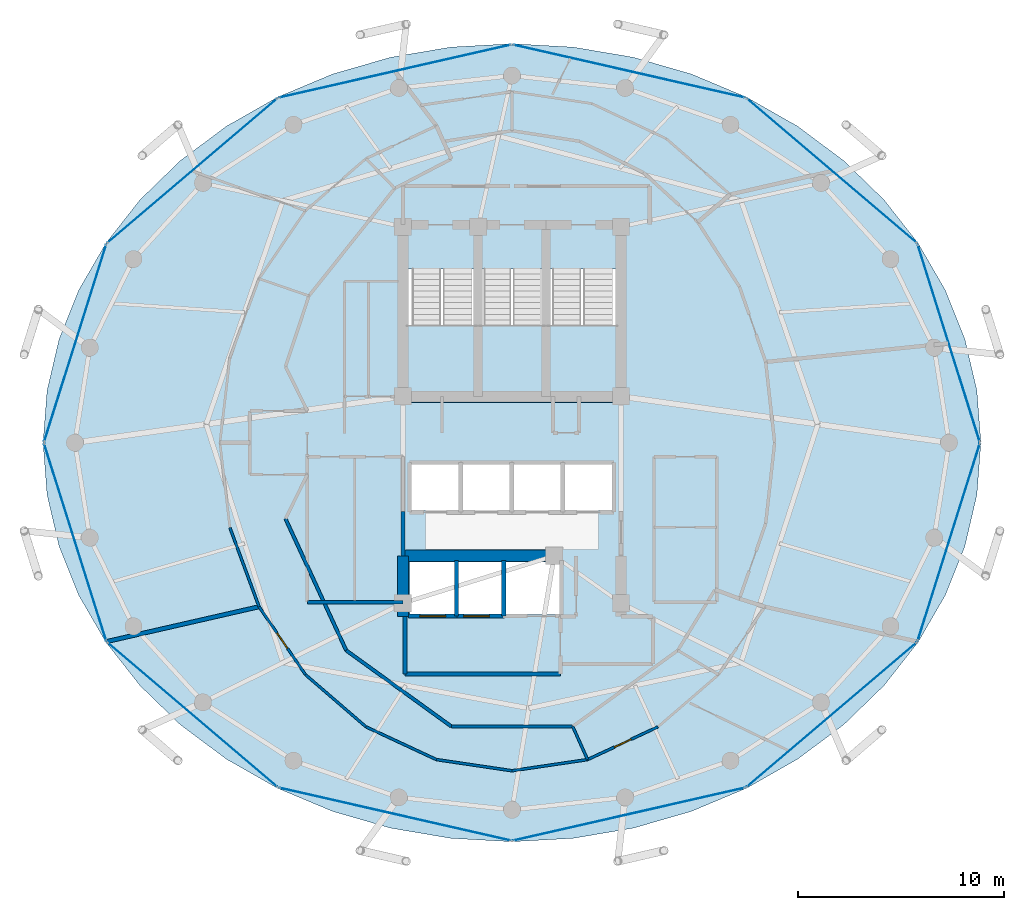
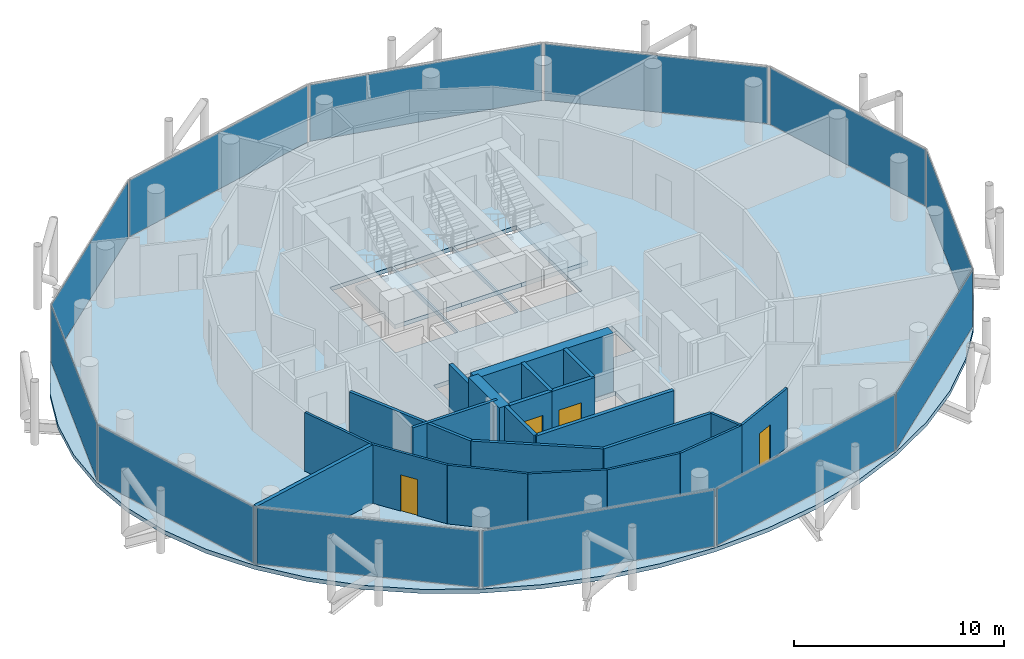
# One storey, part 22 of 27: 22 walls, 12 plates, 4 doors, 4 slabs, 4 openings, 15 elements without a shape of their own.
"""IFC4 building model written with IfcOpenShell, lengths in metres."""

from ifc_helpers import new_model, si_unit, direction, frame, frame_2d, origin, origin_2d, place, context, subcontext, project, spatial, polyline, rectangle, outline, extrude, material, layer, layer_set, type_object, element, fill, aggregate, save


model = new_model("IFC4")

# Units and contexts
model_context = context("Model", 3, precision=1e-05, world=origin(), true_north=direction((0.0, 1.0)))
body_context = subcontext(model_context, "Body", "Model", "MODEL_VIEW")
ifc_project = project(units=[si_unit("LENGTHUNIT", "METRE"), si_unit("AREAUNIT", "SQUARE_METRE"), si_unit("VOLUMEUNIT", "CUBIC_METRE"), si_unit("PLANEANGLEUNIT", "RADIAN"), si_unit("MASSUNIT", "GRAM", prefix="KILO")], contexts=[model_context])

# Site, building, storey
site_placement = place(None, origin())
site = spatial("IfcSite", under=ifc_project, at=site_placement, CompositionType="ELEMENT")
building_placement = place(site_placement, origin())
building = spatial("IfcBuilding", under=site, at=building_placement, Name="Nuhasar Tower", CompositionType="ELEMENT")
storey_placement = place(building_placement, frame((0.0, 0.0, 215.449951171875)))
storey = spatial("IfcBuildingStorey", under=building, at=storey_placement, Name="L52", CompositionType="ELEMENT", Elevation=215.449951171875)

# Curtain wall, plate
ifc_material_1 = material(Name="Aluminium 6063-T6", Category="aluminium")
ifc_layer_1 = layer(ifc_material_1, 0.18994140625)
ifc_layer_set_1 = layer_set([ifc_layer_1], Name="Aluminium 6063-T6")
curtain_wall_type = type_object("IfcCurtainWallType", Name="CW-Z3-RES", PredefinedType="NOTDEFINED", material=ifc_layer_set_1)
curtain_wall_1_placement = place(storey_placement, origin())
curtain_wall_1 = element("IfcCurtainWall", 1, at=curtain_wall_1_placement, inside=storey, type_object=curtain_wall_type, Name="L52 Unitised Curtain Wall 01", PredefinedType="NOTDEFINED")
ifc_material_2 = material(Name="Glass Double Low-E", Category="glass")
ifc_layer_2 = layer(ifc_material_2, 0.028076171875)
ifc_layer_set_2 = layer_set([ifc_layer_2], Name="Glass Double Low-E")
plate_type = type_object("IfcPlateType", Name="CW-PANEL-GLZ", PredefinedType="CURTAIN_PANEL", material=ifc_layer_set_2)
plate_1_placement = place(storey_placement, frame((60.235595703125, 31.639892578125, 0.06494140625), z_axis=(0.0, 0.0, 1.0), x_axis=(-0.30042864553, 0.95380429279, 0.0)))
plate_1 = element("IfcPlate", 2, at=plate_1_placement, type_object=plate_type, Name="CW-Z3 panel 1.1", PredefinedType="CURTAIN_PANEL", context=body_context, shape_type="SweptSolid", body=[
    extrude(rectangle(XDim=10.018798828125, YDim=0.028076171875, at=origin_2d()), origin(), (0.0, 0.0, 1.0), 3.280029296875),
])
aggregate(curtain_wall_1, [plate_1])

curtain_wall_2_placement = place(storey_placement, origin())
curtain_wall_2 = element("IfcCurtainWall", 3, at=curtain_wall_2_placement, inside=storey, type_object=curtain_wall_type, Name="L52 Unitised Curtain Wall 02", PredefinedType="NOTDEFINED")
plate_2_placement = place(storey_placement, frame((54.54541015625, 40.02294921875, 0.06494140625), z_axis=(0.0, 0.0, 1.0), x_axis=(-0.761729472562, 0.64789521578, 0.0)))
plate_2 = element("IfcPlate", 4, at=plate_2_placement, type_object=plate_type, Name="CW-Z3 panel 1.1", PredefinedType="CURTAIN_PANEL", context=body_context, shape_type="SweptSolid", body=[
    extrude(rectangle(XDim=10.806884765625, YDim=0.028076171875, at=origin_2d()), origin(), (0.0, 0.0, 1.0), 3.280029296875),
])
aggregate(curtain_wall_2, [plate_2])

curtain_wall_3_placement = place(storey_placement, origin())
curtain_wall_3 = element("IfcCurtainWall", 5, at=curtain_wall_3_placement, inside=storey, type_object=curtain_wall_type, Name="L52 Unitised Curtain Wall 03", PredefinedType="NOTDEFINED")
plate_3_placement = place(storey_placement, frame((44.68994140625, 44.863037109375, 0.06494140625), z_axis=(0.0, 0.0, 1.0), x_axis=(-0.974991266926, 0.222243176313, 0.0)))
plate_3 = element("IfcPlate", 6, at=plate_3_placement, type_object=plate_type, Name="CW-Z3 panel 1.1", PredefinedType="CURTAIN_PANEL", context=body_context, shape_type="SweptSolid", body=[
    extrude(rectangle(XDim=11.5419921875, YDim=0.028076171875, at=origin_2d()), origin(), (0.0, 0.0, 1.0), 3.280029296875),
])
aggregate(curtain_wall_3, [plate_3])

curtain_wall_4_placement = place(storey_placement, origin())
curtain_wall_4 = element("IfcCurtainWall", 7, at=curtain_wall_4_placement, inside=storey, type_object=curtain_wall_type, Name="L52 Unitised Curtain Wall 04", PredefinedType="NOTDEFINED")
plate_4_placement = place(storey_placement, frame((33.31005859375, 44.863037109375, 0.06494140625), z_axis=(0.0, 0.0, 1.0), x_axis=(-0.974991266926, -0.222243176313, 0.0)))
plate_4 = element("IfcPlate", 8, at=plate_4_placement, type_object=plate_type, Name="CW-Z3 panel 1.1", PredefinedType="CURTAIN_PANEL", context=body_context, shape_type="SweptSolid", body=[
    extrude(rectangle(XDim=11.5419921875, YDim=0.028076171875, at=origin_2d()), origin(), (0.0, 0.0, 1.0), 3.280029296875),
])
aggregate(curtain_wall_4, [plate_4])

curtain_wall_5_placement = place(storey_placement, origin())
curtain_wall_5 = element("IfcCurtainWall", 9, at=curtain_wall_5_placement, inside=storey, type_object=curtain_wall_type, Name="L52 Unitised Curtain Wall 05", PredefinedType="NOTDEFINED")
plate_5_placement = place(storey_placement, frame((23.45458984375, 40.02294921875, 0.06494140625), z_axis=(0.0, 0.0, 1.0), x_axis=(-0.761729472562, -0.64789521578, 0.0)))
plate_5 = element("IfcPlate", 10, at=plate_5_placement, type_object=plate_type, Name="CW-Z3 panel 1.1", PredefinedType="CURTAIN_PANEL", context=body_context, shape_type="SweptSolid", body=[
    extrude(rectangle(XDim=10.806884765625, YDim=0.028076171875, at=origin_2d()), origin(), (0.0, 0.0, 1.0), 3.280029296875),
])
aggregate(curtain_wall_5, [plate_5])

curtain_wall_6_placement = place(storey_placement, origin())
curtain_wall_6 = element("IfcCurtainWall", 11, at=curtain_wall_6_placement, inside=storey, type_object=curtain_wall_type, Name="L52 Unitised Curtain Wall 06", PredefinedType="NOTDEFINED")
plate_6_placement = place(storey_placement, frame((17.764404296875, 31.639892578125, 0.06494140625), z_axis=(0.0, 0.0, 1.0), x_axis=(-0.30042864553, -0.95380429279, 0.0)))
plate_6 = element("IfcPlate", 12, at=plate_6_placement, type_object=plate_type, Name="CW-Z3 panel 1.1", PredefinedType="CURTAIN_PANEL", context=body_context, shape_type="SweptSolid", body=[
    extrude(rectangle(XDim=10.018798828125, YDim=0.028076171875, at=origin_2d()), origin(), (0.0, 0.0, 1.0), 3.280029296875),
])
aggregate(curtain_wall_6, [plate_6])

curtain_wall_7_placement = place(storey_placement, origin())
curtain_wall_7 = element("IfcCurtainWall", 13, at=curtain_wall_7_placement, inside=storey, type_object=curtain_wall_type, Name="L52 Unitised Curtain Wall 07", PredefinedType="NOTDEFINED")
plate_7_placement = place(storey_placement, frame((17.764404296875, 21.9599609375, 0.06494140625), z_axis=(0.0, 0.0, 1.0), x_axis=(0.30042864553, -0.95380429279, 0.0)))
plate_7 = element("IfcPlate", 14, at=plate_7_placement, type_object=plate_type, Name="CW-Z3 panel 1.1", PredefinedType="CURTAIN_PANEL", context=body_context, shape_type="SweptSolid", body=[
    extrude(rectangle(XDim=10.018798828125, YDim=0.028076171875, at=origin_2d()), origin(), (0.0, 0.0, 1.0), 3.280029296875),
])
aggregate(curtain_wall_7, [plate_7])

curtain_wall_8_placement = place(storey_placement, origin())
curtain_wall_8 = element("IfcCurtainWall", 15, at=curtain_wall_8_placement, inside=storey, type_object=curtain_wall_type, Name="L52 Unitised Curtain Wall 08", PredefinedType="NOTDEFINED")
plate_8_placement = place(storey_placement, frame((23.45458984375, 13.576904296875, 0.06494140625), z_axis=(0.0, 0.0, 1.0), x_axis=(0.761729472562, -0.64789521578, 0.0)))
plate_8 = element("IfcPlate", 16, at=plate_8_placement, type_object=plate_type, Name="CW-Z3 panel 1.1", PredefinedType="CURTAIN_PANEL", context=body_context, shape_type="SweptSolid", body=[
    extrude(rectangle(XDim=10.806884765625, YDim=0.028076171875, at=origin_2d()), origin(), (0.0, 0.0, 1.0), 3.280029296875),
])
aggregate(curtain_wall_8, [plate_8])

curtain_wall_9_placement = place(storey_placement, origin())
curtain_wall_9 = element("IfcCurtainWall", 17, at=curtain_wall_9_placement, inside=storey, type_object=curtain_wall_type, Name="L52 Unitised Curtain Wall 09", PredefinedType="NOTDEFINED")
plate_9_placement = place(storey_placement, frame((33.31005859375, 8.737060546875, 0.06494140625), z_axis=(0.0, 0.0, 1.0), x_axis=(0.974991266926, -0.222243176313, 0.0)))
plate_9 = element("IfcPlate", 18, at=plate_9_placement, type_object=plate_type, Name="CW-Z3 panel 1.1", PredefinedType="CURTAIN_PANEL", context=body_context, shape_type="SweptSolid", body=[
    extrude(rectangle(XDim=11.5419921875, YDim=0.028076171875, at=origin_2d()), origin(), (0.0, 0.0, 1.0), 3.280029296875),
])
aggregate(curtain_wall_9, [plate_9])

curtain_wall_10_placement = place(storey_placement, origin())
curtain_wall_10 = element("IfcCurtainWall", 19, at=curtain_wall_10_placement, inside=storey, type_object=curtain_wall_type, Name="L52 Unitised Curtain Wall 10", PredefinedType="NOTDEFINED")
plate_10_placement = place(storey_placement, frame((44.68994140625, 8.737060546875, 0.06494140625), z_axis=(0.0, 0.0, 1.0), x_axis=(0.974991266926, 0.222243176313, 0.0)))
plate_10 = element("IfcPlate", 20, at=plate_10_placement, type_object=plate_type, Name="CW-Z3 panel 1.1", PredefinedType="CURTAIN_PANEL", context=body_context, shape_type="SweptSolid", body=[
    extrude(rectangle(XDim=11.5419921875, YDim=0.028076171875, at=origin_2d()), origin(), (0.0, 0.0, 1.0), 3.280029296875),
])
aggregate(curtain_wall_10, [plate_10])

curtain_wall_11_placement = place(storey_placement, origin())
curtain_wall_11 = element("IfcCurtainWall", 21, at=curtain_wall_11_placement, inside=storey, type_object=curtain_wall_type, Name="L52 Unitised Curtain Wall 11", PredefinedType="NOTDEFINED")
plate_11_placement = place(storey_placement, frame((54.54541015625, 13.576904296875, 0.06494140625), z_axis=(0.0, 0.0, 1.0), x_axis=(0.761729472562, 0.64789521578, 0.0)))
plate_11 = element("IfcPlate", 22, at=plate_11_placement, type_object=plate_type, Name="CW-Z3 panel 1.1", PredefinedType="CURTAIN_PANEL", context=body_context, shape_type="SweptSolid", body=[
    extrude(rectangle(XDim=10.806884765625, YDim=0.028076171875, at=origin_2d()), origin(), (0.0, 0.0, 1.0), 3.280029296875),
])
aggregate(curtain_wall_11, [plate_11])

curtain_wall_12_placement = place(storey_placement, origin())
curtain_wall_12 = element("IfcCurtainWall", 23, at=curtain_wall_12_placement, inside=storey, type_object=curtain_wall_type, Name="L52 Unitised Curtain Wall 12", PredefinedType="NOTDEFINED")
plate_12_placement = place(storey_placement, frame((60.235595703125, 21.9599609375, 0.06494140625), z_axis=(0.0, 0.0, 1.0), x_axis=(0.30042864553, 0.95380429279, 0.0)))
plate_12 = element("IfcPlate", 24, at=plate_12_placement, type_object=plate_type, Name="CW-Z3 panel 1.1", PredefinedType="CURTAIN_PANEL", context=body_context, shape_type="SweptSolid", body=[
    extrude(rectangle(XDim=10.018798828125, YDim=0.028076171875, at=origin_2d()), origin(), (0.0, 0.0, 1.0), 3.280029296875),
])
aggregate(curtain_wall_12, [plate_12])

# Stair, slab
ifc_material_3 = material(Name="Concrete C45/55", Category="concrete")
stair_type_1 = type_object("IfcStairType", Name="STR-ST-01-2F-22R-1659", PredefinedType="HALF_TURN_STAIR", material=ifc_material_3)
stair_1_placement = place(storey_placement, origin())
stair_1 = element("IfcStair", 25, at=stair_1_placement, inside=storey, type_object=stair_type_1, Name="L52 Exit Stair ST-01", PredefinedType="HALF_TURN_STAIR")
ifc_layer_3 = layer(ifc_material_3, 0.239990234375)
ifc_layer_set_3 = layer_set([ifc_layer_3], Name="Concrete C45/55")
slab_type_1 = type_object("IfcSlabType", Name="SLB-STAIR-LND-240", PredefinedType="LANDING", material=ifc_layer_set_3)
slab_1_placement = place(storey_placement, frame((0.0, 0.0, 1.5849609375)))
slab_1 = element("IfcSlab", 26, at=slab_1_placement, type_object=slab_type_1, Name="ST-01 landing 1", PredefinedType="LANDING", context=body_context, shape_type="SweptSolid", body=[
    extrude(outline(polyline([(33.699951171875, 28.75), (37.35009765625, 28.75), (37.35009765625, 32.52001953125), (33.699951171875, 32.52001953125), (33.699951171875, 28.75)])), origin(), (0.0, 0.0, 1.0), 0.239990234375),
])
aggregate(stair_1, [slab_1])

stair_type_2 = type_object("IfcStairType", Name="STR-ST-03-2F-22R-1659", PredefinedType="HALF_TURN_STAIR", material=ifc_material_3)
stair_2_placement = place(storey_placement, origin())
stair_2 = element("IfcStair", 27, at=stair_2_placement, inside=storey, type_object=stair_type_2, Name="L52 Exit Stair ST-03", PredefinedType="HALF_TURN_STAIR")
slab_2_placement = place(storey_placement, frame((0.0, 0.0, 1.5849609375)))
slab_2 = element("IfcSlab", 28, at=slab_2_placement, type_object=slab_type_1, Name="ST-03 landing 1", PredefinedType="LANDING", context=body_context, shape_type="SweptSolid", body=[
    extrude(outline(polyline([(37.35009765625, 28.75), (40.64990234375, 28.75), (40.64990234375, 32.52001953125), (37.35009765625, 32.52001953125), (37.35009765625, 28.75)])), origin(), (0.0, 0.0, 1.0), 0.239990234375),
])
aggregate(stair_2, [slab_2])

stair_type_3 = type_object("IfcStairType", Name="STR-ST-02-2F-22R-1659", PredefinedType="HALF_TURN_STAIR", material=ifc_material_3)
stair_3_placement = place(storey_placement, origin())
stair_3 = element("IfcStair", 29, at=stair_3_placement, inside=storey, type_object=stair_type_3, Name="L52 Exit Stair ST-02", PredefinedType="HALF_TURN_STAIR")
slab_3_placement = place(storey_placement, frame((0.0, 0.0, 1.5849609375)))
slab_3 = element("IfcSlab", 30, at=slab_3_placement, type_object=slab_type_1, Name="ST-02 landing 1", PredefinedType="LANDING", context=body_context, shape_type="SweptSolid", body=[
    extrude(outline(polyline([(40.64990234375, 28.75), (44.300048828125, 28.75), (44.300048828125, 32.52001953125), (40.64990234375, 32.52001953125), (40.64990234375, 28.75)])), origin(), (0.0, 0.0, 1.0), 0.239990234375),
])
aggregate(stair_3, [slab_3])

# Slab
ifc_layer_4 = layer(ifc_material_3, 0.239990234375)
ifc_layer_set_4 = layer_set([ifc_layer_4], Name="Concrete C45/55")
slab_type_2 = type_object("IfcSlabType", Name="SLB-Z3-240", PredefinedType="FLOOR", material=ifc_layer_set_4)
slab_4_placement = place(storey_placement, frame((0.0, 0.0, -0.239990234375)))
element("IfcSlab", 31, at=slab_4_placement, inside=storey, type_object=slab_type_2, Name="L52 Structural Slab", PredefinedType="FLOOR", context=body_context, shape_type="SweptSolid", body=[
    extrude(outline(polyline([(61.800048828125, 26.800048828125), (61.60498046875, 29.33203125), (61.02294921875, 31.821044921875), (60.06396484375, 34.22412109375), (58.7451171875, 36.5), (57.087890625, 38.610107421875), (55.1220703125, 40.51806640625), (52.8798828125, 42.19091796875), (50.39990234375, 43.60107421875), (47.72509765625, 44.722900390625), (44.90087890625, 45.5390625), (41.97607421875, 46.033935546875), (39.0, 46.199951171875), (36.02392578125, 46.033935546875), (33.09912109375, 45.5390625), (30.27490234375, 44.722900390625), (27.60009765625, 43.60107421875), (25.1201171875, 42.19091796875), (22.8779296875, 40.51806640625), (20.912109375, 38.610107421875), (19.2548828125, 36.5), (17.93603515625, 34.22412109375), (16.97705078125, 31.821044921875), (16.39501953125, 29.33203125), (16.199951171875, 26.800048828125), (16.39501953125, 24.26806640625), (16.97705078125, 21.779052734375), (17.93603515625, 19.3759765625), (19.2548828125, 17.10009765625), (20.912109375, 14.989990234375), (22.8779296875, 13.08203125), (25.1201171875, 11.408935546875), (27.60009765625, 9.9990234375), (30.27490234375, 8.876953125), (33.09912109375, 8.06103515625), (36.02392578125, 7.56591796875), (39.0, 7.39990234375), (41.97607421875, 7.56591796875), (44.90087890625, 8.06103515625), (47.72509765625, 8.876953125), (50.39990234375, 9.9990234375), (52.8798828125, 11.408935546875), (55.1220703125, 13.08203125), (57.087890625, 14.989990234375), (58.7451171875, 17.10009765625), (60.06396484375, 19.3759765625), (61.02294921875, 21.779052734375), (61.60498046875, 24.26806640625), (61.800048828125, 26.800048828125)]), holes=[polyline([(33.8798828125, 35.25), (37.300048828125, 35.25), (37.300048828125, 29.0), (33.8798828125, 29.0), (33.8798828125, 35.25)]), polyline([(37.39990234375, 35.25), (40.60009765625, 35.25), (40.60009765625, 29.0), (37.39990234375, 29.0), (37.39990234375, 35.25)]), polyline([(40.699951171875, 35.25), (44.1201171875, 35.25), (44.1201171875, 29.0), (40.699951171875, 29.0), (40.699951171875, 35.25)]), polyline([(34.10009765625, 25.75), (36.43994140625, 25.75), (36.43994140625, 23.5), (34.10009765625, 23.5), (34.10009765625, 25.75)]), polyline([(36.580078125, 25.75), (38.919921875, 25.75), (38.919921875, 23.5), (36.580078125, 23.5), (36.580078125, 25.75)]), polyline([(39.06005859375, 25.75), (41.39990234375, 25.75), (41.39990234375, 23.5), (39.06005859375, 23.5), (39.06005859375, 25.75)]), polyline([(41.5400390625, 25.75), (43.8798828125, 25.75), (43.8798828125, 23.5), (41.5400390625, 23.5), (41.5400390625, 25.75)]), polyline([(34.050048828125, 21.0), (36.25, 21.0), (36.25, 18.449951171875), (34.050048828125, 18.449951171875), (34.050048828125, 21.0)]), polyline([(36.35009765625, 21.0), (38.550048828125, 21.0), (38.550048828125, 18.449951171875), (36.35009765625, 18.449951171875), (36.35009765625, 21.0)]), polyline([(38.64990234375, 21.0), (41.320068359375, 21.0), (41.320068359375, 18.449951171875), (38.64990234375, 18.449951171875), (38.64990234375, 21.0)])]), origin(), (0.0, 0.0, 1.0), 0.239990234375),
])

# Walls
ifc_material_4 = material(Name="Concrete C55/67", Category="concrete")
ifc_layer_5 = layer(ifc_material_4, 0.550048828125)
ifc_layer_set_5 = layer_set([ifc_layer_5], Name="Concrete C55/67")
wall_type_1 = type_object("IfcWallType", Name="WL-CORE-550", PredefinedType="SHEAR", material=ifc_layer_set_5)
wall_1_placement = place(storey_placement, frame((33.699951171875, 18.35009765625, 0.0), z_axis=(0.0, 0.0, 1.0), x_axis=(0.0, 1.0, 0.0)))
element("IfcWall", 32, at=wall_1_placement, inside=storey, type_object=wall_type_1, Name="L52 Core Shear Wall CW-SW CW-550", PredefinedType="SHEAR", context=body_context, shape_type="SweptSolid", body=[
    extrude(rectangle(XDim=2.949951171875, YDim=0.550048828125, at=frame_2d((1.47509765625, 0.0))), origin(), (0.0, 0.0, 1.0), 3.41015625),
])
wall_2_placement = place(storey_placement, frame((33.699951171875, 21.300048828125, 0.0), z_axis=(0.0, 0.0, 1.0), x_axis=(1.0, 0.0, 0.0)))
element("IfcWall", 33, at=wall_2_placement, inside=storey, type_object=wall_type_1, Name="L52 Core Shear Wall CW-S1 CW-550", PredefinedType="SHEAR", context=body_context, shape_type="SweptSolid", body=[
    extrude(rectangle(XDim=7.550048828125, YDim=0.550048828125, at=frame_2d((3.77490234375, 0.0))), origin(), (0.0, 0.0, 1.0), 3.41015625),
])
ifc_material_5 = material(Name="Gypsum Board", Category="gypsum")
ifc_layer_6 = layer(ifc_material_5, 0.159912109375)
ifc_layer_set_6 = layer_set([ifc_layer_6], Name="Gypsum Board")
wall_type_2 = type_object("IfcWallType", Name="WL-CORR-160", PredefinedType="PARTITIONING", material=ifc_layer_set_6)
wall_3_placement = place(storey_placement, frame((29.050048828125, 19.050048828125, 0.0), z_axis=(0.0, 0.0, 1.0), x_axis=(1.0, 0.0, 0.0)))
element("IfcWall", 34, at=wall_3_placement, inside=storey, type_object=wall_type_2, Name="L52 Interior Partition RECL-B1-S", PredefinedType="PARTITIONING", context=body_context, shape_type="SweptSolid", body=[
    extrude(rectangle(XDim=4.64990234375, YDim=0.159912109375, at=frame_2d((2.324951171875, 0.0))), origin(), (0.0, 0.0, 1.0), 3.41015625),
])
wall_4_placement = place(storey_placement, frame((27.988037109375, 23.10400390625, 0.0), z_axis=(0.0, 0.0, 1.0), x_axis=(0.418656179426, -0.908144814128, 0.0)))
element("IfcWall", 35, at=wall_4_placement, inside=storey, type_object=wall_type_2, Name="L52 Interior Partition UWEST-CORE-S1-26", PredefinedType="PARTITIONING", context=body_context, shape_type="SweptSolid", body=[
    extrude(rectangle(XDim=7.048583984375, YDim=0.159912109375, at=frame_2d((3.5244140625, 0.0))), origin(), (0.0, 0.0, 1.0), 3.41015625),
])
wall_5_placement = place(storey_placement, frame((30.93896484375, 16.702880859375, 0.0), z_axis=(0.0, 0.0, 1.0), x_axis=(0.810290119061, -0.586028943784, 0.0)))
element("IfcWall", 36, at=wall_5_placement, inside=storey, type_object=wall_type_2, Name="L52 Interior Partition UWEST-CORE-S1-30", PredefinedType="PARTITIONING", context=body_context, shape_type="SweptSolid", body=[
    extrude(rectangle(XDim=6.306396484375, YDim=0.159912109375, at=frame_2d((3.1533203125, 0.0))), origin(), (0.0, 0.0, 1.0), 3.41015625),
])
wall_6_placement = place(storey_placement, frame((36.049072265625, 13.007080078125, 0.0), z_axis=(0.0, 0.0, 1.0), x_axis=(1.0, 0.0, 0.0)))
element("IfcWall", 37, at=wall_6_placement, inside=storey, type_object=wall_type_2, Name="L52 Interior Partition UWEST-CORE-S1-34", PredefinedType="PARTITIONING", context=body_context, shape_type="SweptSolid", body=[
    extrude(rectangle(XDim=5.90185546875, YDim=0.159912109375, at=frame_2d((2.950927734375, 0.0))), origin(), (0.0, 0.0, 1.0), 3.41015625),
])
ifc_layer_7 = layer(ifc_material_3, 0.199951171875)
ifc_layer_set_7 = layer_set([ifc_layer_7], Name="Concrete C45/55")
wall_type_3 = type_object("IfcWallType", Name="WL-LOBBY-200", PredefinedType="SOLIDWALL", material=ifc_layer_set_7)
wall_7_placement = place(storey_placement, frame((33.699951171875, 21.300048828125, 0.0), z_axis=(0.0, 0.0, 1.0), x_axis=(0.0, 1.0, 0.0)))
element("IfcWall", 38, at=wall_7_placement, inside=storey, type_object=wall_type_3, Name="L52 Interior Partition LLBH-W", PredefinedType="SOLIDWALL", context=body_context, shape_type="SweptSolid", body=[
    extrude(rectangle(XDim=2.14990234375, YDim=0.199951171875, at=frame_2d((1.074951171875, 0.0))), origin(), (0.0, 0.0, 1.0), 2.795166015625),
])
wall_8_placement = place(storey_placement, frame((33.800048828125, 15.550048828125, 0.0), z_axis=(0.0, 0.0, 1.0), x_axis=(1.0, 0.0, 0.0)))
element("IfcWall", 39, at=wall_8_placement, inside=storey, type_object=wall_type_3, Name="L52 Interior Partition FFL-S", PredefinedType="SOLIDWALL", context=body_context, shape_type="SweptSolid", body=[
    extrude(rectangle(XDim=7.550048828125, YDim=0.199951171875, at=frame_2d((3.77490234375, 0.0))), origin(), (0.0, 0.0, 1.0), 3.41015625),
])
wall_9_placement = place(storey_placement, frame((33.800048828125, 15.550048828125, 0.0), z_axis=(0.0, 0.0, 1.0), x_axis=(0.0, 1.0, 0.0)))
element("IfcWall", 40, at=wall_9_placement, inside=storey, type_object=wall_type_3, Name="L52 Interior Partition FFL-W", PredefinedType="SOLIDWALL", context=body_context, shape_type="SweptSolid", body=[
    extrude(rectangle(XDim=2.800048828125, YDim=0.199951171875, at=frame_2d((1.39990234375, 0.0))), origin(), (0.0, 0.0, 1.0), 3.41015625),
])
ifc_layer_8 = layer(ifc_material_5, 0.125)
ifc_layer_set_8 = layer_set([ifc_layer_8], Name="Gypsum Board")
wall_type_4 = type_object("IfcWallType", Name="WL-PART-125", PredefinedType="PARTITIONING", material=ifc_layer_set_8)
wall_10_placement = place(storey_placement, frame((25.283935546875, 22.672119140625, 0.0), z_axis=(0.0, 0.0, 1.0), x_axis=(0.345832286314, -0.938296344308, 0.0)))
element("IfcWall", 41, at=wall_10_placement, inside=storey, type_object=wall_type_4, Name="L52 Interior Partition USM-1-D-26", PredefinedType="PARTITIONING", context=body_context, shape_type="SweptSolid", body=[
    extrude(rectangle(XDim=4.10009765625, YDim=0.125, at=frame_2d((2.050048828125, 0.0))), origin(), (0.0, 0.0, 1.0), 3.41015625),
])

# Wall, opening, door
wall_11_placement = place(storey_placement, frame((46.10009765625, 12.987060546875, 0.0), z_axis=(0.0, 0.0, 1.0), x_axis=(-0.906625113427, -0.421937085007, 0.0)))
wall_11 = element("IfcWall", 42, at=wall_11_placement, inside=storey, type_object=wall_type_4, Name="L52 Interior Partition USM-2-K-38", PredefinedType="PARTITIONING", context=body_context, shape_type="SweptSolid", body=[
    extrude(rectangle(XDim=3.77783203125, YDim=0.125, at=frame_2d((1.888916015625, 0.0))), origin(), (0.0, 0.0, 1.0), 3.41015625),
])
opening_1_placement = place(wall_11_placement, frame((1.43896484375, 0.0, 0.0)))
opening_1 = element("IfcOpeningElement", 43, at=opening_1_placement, cuts=wall_11, Name="Opening DR-01", PredefinedType="OPENING", context=body_context, shape_type="SweptSolid", body=[
    extrude(rectangle(XDim=0.89990234375, YDim=2.10009765625, at=frame_2d((0.449951171875, 1.050048828125))), frame((0.0, 0.072509765625, 0.0), z_axis=(0.0, -1.0, 0.0), x_axis=(1.0, 0.0, 0.0)), (0.0, 0.0, 1.0), 0.14501953125),
])
ifc_material_6 = material(Name="Timber Oak", Category="wood")
door_type_1 = type_object("IfcDoorType", Name="DR-ROOM-900", OperationType="NOTDEFINED", PredefinedType="DOOR", material=ifc_material_6)
door_1_placement = place(opening_1_placement, origin())
door_1 = element("IfcDoor", 44, at=door_1_placement, inside=storey, type_object=door_type_1, Name="L52 South-West Sky Home Kitchen Door", OperationType="SINGLE_SWING_RIGHT", OverallHeight=2.10009765625, OverallWidth=0.89990234375, PredefinedType="DOOR", context=body_context, shape_type="SweptSolid", body=[
    extrude(rectangle(XDim=0.89990234375, YDim=2.10009765625, at=frame_2d((0.449951171875, 1.050048828125))), frame((0.0, 0.02490234375, 0.0), z_axis=(0.0, -1.0, 0.0), x_axis=(1.0, 0.0, 0.0)), (0.0, 0.0, 1.0), 0.050048828125),
])
fill(opening_1, door_1)

# Wall
wall_12_placement = place(storey_placement, frame((41.950927734375, 13.007080078125, 0.0), z_axis=(0.0, 0.0, 1.0), x_axis=(0.409337233456, -0.912383159263, 0.0)))
element("IfcWall", 45, at=wall_12_placement, inside=storey, type_object=wall_type_4, Name="L52 Interior Partition USI-2-DK", PredefinedType="PARTITIONING", context=body_context, shape_type="SweptSolid", body=[
    extrude(rectangle(XDim=1.76904296875, YDim=0.125, at=frame_2d((0.884521484375, 0.0))), origin(), (0.0, 0.0, 1.0), 3.41015625),
])

# Wall, opening, door
wall_13_placement = place(storey_placement, frame((28.958984375, 15.52197265625, 0.0), z_axis=(0.0, 0.0, 1.0), x_axis=(-0.56419813198, 0.825639429697, 0.0)))
wall_13 = element("IfcWall", 46, at=wall_13_placement, inside=storey, type_object=wall_type_4, Name="L52 Interior Partition USM-2-D-28", PredefinedType="PARTITIONING", context=body_context, shape_type="SweptSolid", body=[
    extrude(rectangle(XDim=4.00048828125, YDim=0.125, at=frame_2d((2.000244140625, 0.0))), origin(), (0.0, 0.0, 1.0), 3.41015625),
])
opening_2_placement = place(wall_13_placement, frame((1.550048828125, 0.0, 0.0)))
opening_2 = element("IfcOpeningElement", 47, at=opening_2_placement, cuts=wall_13, Name="Opening DR-01", PredefinedType="OPENING", context=body_context, shape_type="SweptSolid", body=[
    extrude(rectangle(XDim=0.89990234375, YDim=2.10009765625, at=frame_2d((0.449951171875, 1.050048828125))), frame((0.0, 0.072509765625, 0.0), z_axis=(0.0, -1.0, 0.0), x_axis=(1.0, 0.0, 0.0)), (0.0, 0.0, 1.0), 0.14501953125),
])
door_2_placement = place(opening_2_placement, origin())
door_2 = element("IfcDoor", 48, at=door_2_placement, inside=storey, type_object=door_type_1, Name="L52 South-West Sky Home Living Door", OperationType="SINGLE_SWING_LEFT", OverallHeight=2.10009765625, OverallWidth=0.89990234375, PredefinedType="DOOR", context=body_context, shape_type="SweptSolid", body=[
    extrude(rectangle(XDim=0.89990234375, YDim=2.10009765625, at=frame_2d((0.449951171875, 1.050048828125))), frame((0.0, 0.02490234375, 0.0), z_axis=(0.0, -1.0, 0.0), x_axis=(1.0, 0.0, 0.0)), (0.0, 0.0, 1.0), 0.050048828125),
])
fill(opening_2, door_2)

# Walls
wall_14_placement = place(storey_placement, frame((28.958984375, 15.52197265625, 0.0), z_axis=(0.0, 0.0, 1.0), x_axis=(0.757456069071, -0.652886133585, 0.0)))
element("IfcWall", 49, at=wall_14_placement, inside=storey, type_object=wall_type_4, Name="L52 Interior Partition USM-2-D-30", PredefinedType="PARTITIONING", context=body_context, shape_type="SweptSolid", body=[
    extrude(rectangle(XDim=3.882568359375, YDim=0.125, at=frame_2d((1.94140625, 0.0))), origin(), (0.0, 0.0, 1.0), 3.41015625),
])
wall_15_placement = place(storey_placement, frame((31.89990234375, 12.987060546875, 0.0), z_axis=(0.0, 0.0, 1.0), x_axis=(0.906625113427, -0.421937085007, 0.0)))
element("IfcWall", 50, at=wall_15_placement, inside=storey, type_object=wall_type_4, Name="L52 Interior Partition USM-2-D-32", PredefinedType="PARTITIONING", context=body_context, shape_type="SweptSolid", body=[
    extrude(rectangle(XDim=3.77783203125, YDim=0.125, at=frame_2d((1.888916015625, 0.0))), origin(), (0.0, 0.0, 1.0), 3.41015625),
])
for number, where, z_axis, x_axis, name in (
    (51, (35.324951171875, 11.39306640625, 0.0), (0.0, 0.0, 1.0), (0.989261252839, -0.146158043334, 0.0), "L52 Interior Partition USM-2-D-34"),
    (52, (39.0, 10.85009765625, 0.0), (0.0, 0.0, 1.0), (0.989261252839, 0.146158043334, 0.0), "L52 Interior Partition USM-2-D-36"),
):
    element("IfcWall", number, at=place(storey_placement, frame(where, z_axis=z_axis, x_axis=x_axis)), inside=storey, type_object=wall_type_4, Name=name, PredefinedType="PARTITIONING", context=body_context, shape_type="SweptSolid", body=[
        extrude(rectangle(XDim=3.71484375, YDim=0.125, at=frame_2d((1.857421875, 0.0))), origin(), (0.0, 0.0, 1.0), 3.41015625),
    ])

# Wall, opening, door
ifc_layer_9 = layer(ifc_material_3, 0.199951171875)
ifc_layer_set_9 = layer_set([ifc_layer_9], Name="Concrete C45/55")
wall_type_5 = type_object("IfcWallType", Name="WL-SHAFT-200", PredefinedType="SOLIDWALL", material=ifc_layer_set_9)
wall_16_placement = place(storey_placement, frame((33.969970703125, 18.3701171875, 0.0), z_axis=(0.0, 0.0, 1.0), x_axis=(1.0, 0.0, 0.0)))
wall_16 = element("IfcWall", 53, at=wall_16_placement, inside=storey, type_object=wall_type_5, Name="L52 Interior Partition SHF-FFL-01-S", PredefinedType="SOLIDWALL", context=body_context, shape_type="SweptSolid", body=[
    extrude(rectangle(XDim=2.360107421875, YDim=0.199951171875, at=frame_2d((1.18017578125, 0.0))), origin(), (0.0, 0.0, 1.0), 3.41015625),
])
opening_3_placement = place(wall_16_placement, frame((0.554931640625, 0.0, 0.0)))
opening_3 = element("IfcOpeningElement", 54, at=opening_3_placement, cuts=wall_16, Name="Opening LD-F01", PredefinedType="OPENING", context=body_context, shape_type="SweptSolid", body=[
    extrude(rectangle(XDim=1.25, YDim=2.199951171875, at=frame_2d((0.625, 1.10009765625))), frame((0.0, 0.10986328125, 0.0), z_axis=(0.0, -1.0, 0.0), x_axis=(1.0, 0.0, 0.0)), (0.0, 0.0, 1.0), 0.219970703125),
])
ifc_material_7 = material(Name="Stainless Steel 316L", Category="steel")
door_type_2 = type_object("IfcDoorType", Name="LD-FFL-1250", OperationType="DOUBLE_DOOR_SLIDING", PredefinedType="DOOR", material=ifc_material_7)
door_3_placement = place(opening_3_placement, origin())
door_3 = element("IfcDoor", 55, at=door_3_placement, inside=storey, type_object=door_type_2, Name="L52 Lift Landing Door FFL-01", OperationType="DOUBLE_DOOR_SLIDING", OverallHeight=2.199951171875, OverallWidth=1.25, PredefinedType="DOOR", context=body_context, shape_type="SweptSolid", body=[
    extrude(rectangle(XDim=1.25, YDim=2.199951171875, at=frame_2d((0.625, 1.10009765625))), frame((0.0, 0.02490234375, 0.0), z_axis=(0.0, -1.0, 0.0), x_axis=(1.0, 0.0, 0.0)), (0.0, 0.0, 1.0), 0.050048828125),
])
fill(opening_3, door_3)

# Wall
wall_17_placement = place(storey_placement, frame((36.300048828125, 18.3701171875, 0.0), z_axis=(0.0, 0.0, 1.0), x_axis=(0.0, 1.0, 0.0)))
element("IfcWall", 56, at=wall_17_placement, inside=storey, type_object=wall_type_5, Name="L52 Interior Partition SHF-FFL-01-E", PredefinedType="SOLIDWALL", context=body_context, shape_type="SweptSolid", body=[
    extrude(rectangle(XDim=2.7099609375, YDim=0.199951171875, at=frame_2d((1.35498046875, 0.0))), origin(), (0.0, 0.0, 1.0), 3.41015625),
])

# Wall, opening, door
wall_18_placement = place(storey_placement, frame((36.27001953125, 18.3701171875, 0.0), z_axis=(0.0, 0.0, 1.0), x_axis=(1.0, 0.0, 0.0)))
wall_18 = element("IfcWall", 57, at=wall_18_placement, inside=storey, type_object=wall_type_5, Name="L52 Interior Partition SHF-FFL-02-S", PredefinedType="SOLIDWALL", context=body_context, shape_type="SweptSolid", body=[
    extrude(rectangle(XDim=2.35986328125, YDim=0.199951171875, at=frame_2d((1.179931640625, 0.0))), origin(), (0.0, 0.0, 1.0), 3.41015625),
])
opening_4_placement = place(wall_18_placement, frame((0.3798828125, 0.0, 0.0)))
opening_4 = element("IfcOpeningElement", 58, at=opening_4_placement, cuts=wall_18, Name="Opening LD-F02", PredefinedType="OPENING", context=body_context, shape_type="SweptSolid", body=[
    extrude(rectangle(XDim=1.25, YDim=2.199951171875, at=frame_2d((0.625, 1.10009765625))), frame((0.0, 0.10986328125, 0.0), z_axis=(0.0, -1.0, 0.0), x_axis=(1.0, 0.0, 0.0)), (0.0, 0.0, 1.0), 0.219970703125),
])
door_4_placement = place(opening_4_placement, origin())
door_4 = element("IfcDoor", 59, at=door_4_placement, inside=storey, type_object=door_type_2, Name="L52 Lift Landing Door FFL-02", OperationType="DOUBLE_DOOR_SLIDING", OverallHeight=2.199951171875, OverallWidth=1.25, PredefinedType="DOOR", context=body_context, shape_type="SweptSolid", body=[
    extrude(rectangle(XDim=1.25, YDim=2.199951171875, at=frame_2d((0.625, 1.10009765625))), frame((0.0, 0.02490234375, 0.0), z_axis=(0.0, -1.0, 0.0), x_axis=(1.0, 0.0, 0.0)), (0.0, 0.0, 1.0), 0.050048828125),
])
fill(opening_4, door_4)

# Walls
wall_19_placement = place(storey_placement, frame((38.60009765625, 18.3701171875, 0.0), z_axis=(0.0, 0.0, 1.0), x_axis=(0.0, 1.0, 0.0)))
element("IfcWall", 60, at=wall_19_placement, inside=storey, type_object=wall_type_5, Name="L52 Interior Partition SHF-FFL-02-E", PredefinedType="SOLIDWALL", context=body_context, shape_type="SweptSolid", body=[
    extrude(rectangle(XDim=2.7099609375, YDim=0.199951171875, at=frame_2d((1.35498046875, 0.0))), origin(), (0.0, 0.0, 1.0), 3.41015625),
])
ifc_material_8 = material(Name="Concrete C40/50 precast", Category="concrete")
ifc_layer_10 = layer(ifc_material_8, 0.199951171875)
ifc_layer_set_10 = layer_set([ifc_layer_10], Name="Concrete C40/50 precast")
wall_type_6 = type_object("IfcWallType", Name="WL-UNIT-200", PredefinedType="PARTITIONING", material=ifc_layer_set_10)
wall_20_placement = place(storey_placement, frame((26.701904296875, 18.824951171875, 0.0), z_axis=(0.0, 0.0, 1.0), x_axis=(-0.97486610999, -0.222791533934, 0.0)))
element("IfcWall", 61, at=wall_20_placement, inside=storey, type_object=wall_type_6, Name="L52 Interior Partition UWEST-PARTY-OUT", PredefinedType="PARTITIONING", context=body_context, shape_type="SweptSolid", body=[
    extrude(rectangle(XDim=7.572265625, YDim=0.199951171875, at=frame_2d((3.7861328125, 0.0))), origin(), (0.0, 0.0, 1.0), 3.41015625),
])

save(model, "model.ifc")
